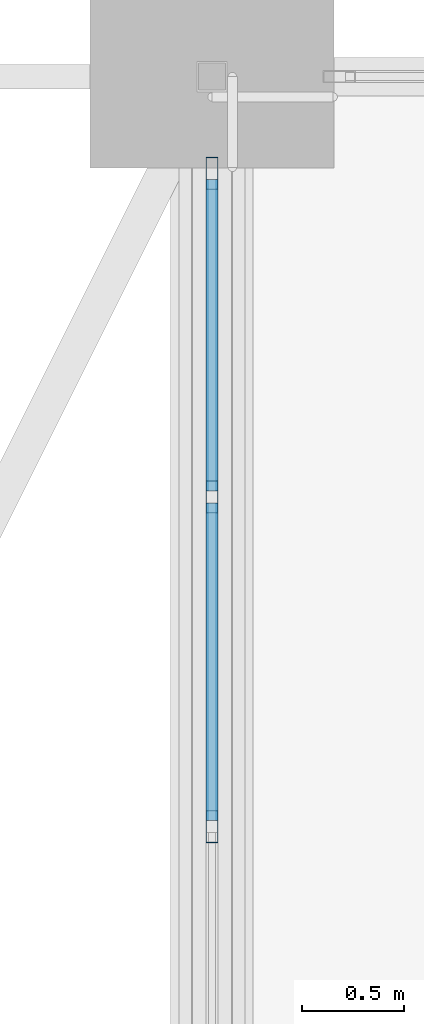
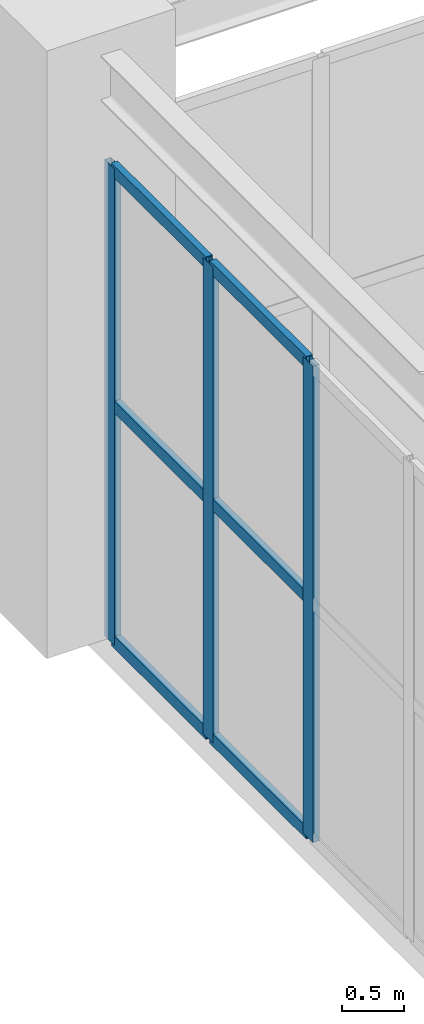
# One storey, part 149 of 223: 9 members, 1 element without a shape of its own.
"""IFC4 building model written with IfcOpenShell, lengths in metres."""

from ifc_helpers import new_model, si_unit, direction, frame, origin, origin_2d, place, context, subcontext, project, spatial, hollow_rectangle, extrude, material, layer, layer_set, material_profile, profile_set, type_object, element, aggregate, save


model = new_model("IFC4")

# Units and contexts
model_context = context("Model", 3, precision=1e-05, world=origin(), true_north=direction((0.0, 1.0)))
body_context = subcontext(model_context, "Body", "Model", "MODEL_VIEW")
ifc_project = project(units=[si_unit("LENGTHUNIT", "METRE"), si_unit("AREAUNIT", "SQUARE_METRE"), si_unit("VOLUMEUNIT", "CUBIC_METRE"), si_unit("PLANEANGLEUNIT", "RADIAN"), si_unit("MASSUNIT", "GRAM", prefix="KILO")], contexts=[model_context])

# Site, building, storey
site_placement = place(None, origin())
site = spatial("IfcSite", under=ifc_project, at=site_placement, CompositionType="ELEMENT")
building_placement = place(site_placement, origin())
building = spatial("IfcBuilding", under=site, at=building_placement, Name="Dornveld Trade and Exhibition Forum", CompositionType="ELEMENT")
storey_placement = place(building_placement, frame((0.0, 0.0, 6.0)))
storey = spatial("IfcBuildingStorey", under=building, at=storey_placement, Name="L01", CompositionType="ELEMENT", Elevation=6.0)

# Curtain wall, members
ifc_material_1 = material(Name="Dark-bronze anodised aluminium and low-E glass", Category="aluminium")
ifc_layer = layer(ifc_material_1, 0.180908203125)
ifc_layer_set = layer_set([ifc_layer], Name="Dark-bronze anodised aluminium and low-E glass")
curtain_wall_type = type_object("IfcCurtainWallType", Name="CW-SYS-13", PredefinedType="USERDEFINED", material=ifc_layer_set)
curtain_wall_placement = place(storey_placement, origin())
curtain_wall = element("IfcCurtainWall", 1, at=curtain_wall_placement, inside=storey, type_object=curtain_wall_type, Name="L01 unitised curtain wall 13", ObjectType="UNITISED_CURTAIN_WALL", PredefinedType="USERDEFINED")
ifc_material_2 = material(Name="Dark-bronze anodised aluminium", Category="aluminium")
ifc_material_profile_1 = material_profile(ifc_material_2, hollow_rectangle(XDim=0.06005859375, YDim=0.159912109375, WallThickness=0.00390625, at=origin_2d()), Name="RHS 160x60x4")
ifc_profile_set_1 = profile_set([ifc_material_profile_1], Name="Dark-bronze anodised aluminium")
member_type_1 = type_object("IfcMemberType", Name="CW-MUL-160", PredefinedType="MULLION", material=ifc_profile_set_1)
member_1_placement = place(storey_placement, frame((171.0, 140.310791015625, -0.00390625), z_axis=(0.0, 0.0, 1.0), x_axis=(-1.0, 0.0, 0.0)))
member_1 = element("IfcMember", 2, at=member_1_placement, type_object=member_type_1, Name="CW-13 mullion 4", PredefinedType="MULLION", context=body_context, shape_type="SweptSolid", body=[
    extrude(hollow_rectangle(XDim=0.06005859375, YDim=0.159912109375, WallThickness=0.00390625, at=origin_2d()), origin(), (0.0, 0.0, 1.0), 4.703857421875),
])
member_2_placement = place(storey_placement, frame((171.0, 141.932373046875, -0.00390625), z_axis=(0.0, 0.0, 1.0), x_axis=(-1.0, 0.0, 0.0)))
member_2 = element("IfcMember", 3, at=member_2_placement, type_object=member_type_1, Name="CW-13 mullion 5", PredefinedType="MULLION", context=body_context, shape_type="SweptSolid", body=[
    extrude(hollow_rectangle(XDim=0.06005859375, YDim=0.159912109375, WallThickness=0.00390625, at=origin_2d()), origin(), (0.0, 0.0, 1.0), 4.703857421875),
])
member_3_placement = place(storey_placement, frame((171.0, 143.52392578125, -0.00390625), z_axis=(0.0, 0.0, 1.0), x_axis=(-1.0, 0.0, 0.0)))
member_3 = element("IfcMember", 4, at=member_3_placement, type_object=member_type_1, Name="CW-13 mullion 6", PredefinedType="MULLION", context=body_context, shape_type="SweptSolid", body=[
    extrude(hollow_rectangle(XDim=0.06005859375, YDim=0.159912109375, WallThickness=0.00390625, at=origin_2d()), origin(), (0.0, 0.0, 1.0), 4.703857421875),
])
ifc_material_3 = material(Name="Dark-bronze anodised aluminium", Category="aluminium")
ifc_material_profile_2 = material_profile(ifc_material_3, hollow_rectangle(XDim=0.06005859375, YDim=0.1201171875, WallThickness=0.00390625, at=origin_2d()), Name="RHS 120x60x4")
ifc_profile_set_2 = profile_set([ifc_material_profile_2], Name="Dark-bronze anodised aluminium")
member_type_2 = type_object("IfcMemberType", Name="CW-TRN-120", PredefinedType="USERDEFINED", material=ifc_profile_set_2)
member_4_placement = place(storey_placement, frame((171.0, 140.3408203125, 0.02587890625), z_axis=(0.0, 1.0, 0.0), x_axis=(-1.0, 0.0, 0.0)))
member_4 = element("IfcMember", 5, at=member_4_placement, type_object=member_type_2, Name="CW-13 transom 4.1", ObjectType="TRANSOM", PredefinedType="USERDEFINED", context=body_context, shape_type="SweptSolid", body=[
    extrude(hollow_rectangle(XDim=0.06005859375, YDim=0.1201171875, WallThickness=0.00390625, at=origin_2d()), origin(), (0.0, 0.0, 1.0), 1.5615234375),
])
member_5_placement = place(storey_placement, frame((171.0, 140.3408203125, 2.347900390625), z_axis=(0.0, 1.0, 0.0), x_axis=(-1.0, 0.0, 0.0)))
member_5 = element("IfcMember", 6, at=member_5_placement, type_object=member_type_2, Name="CW-13 transom 4.2", ObjectType="TRANSOM", PredefinedType="USERDEFINED", context=body_context, shape_type="SweptSolid", body=[
    extrude(hollow_rectangle(XDim=0.06005859375, YDim=0.1201171875, WallThickness=0.00390625, at=origin_2d()), origin(), (0.0, 0.0, 1.0), 1.5615234375),
])
member_6_placement = place(storey_placement, frame((171.0, 140.3408203125, 4.669921875), z_axis=(0.0, 1.0, 0.0), x_axis=(-1.0, 0.0, 0.0)))
member_6 = element("IfcMember", 7, at=member_6_placement, type_object=member_type_2, Name="CW-13 transom 4.3", ObjectType="TRANSOM", PredefinedType="USERDEFINED", context=body_context, shape_type="SweptSolid", body=[
    extrude(hollow_rectangle(XDim=0.06005859375, YDim=0.1201171875, WallThickness=0.00390625, at=origin_2d()), origin(), (0.0, 0.0, 1.0), 1.5615234375),
])
member_7_placement = place(storey_placement, frame((171.0, 141.96240234375, 0.02587890625), z_axis=(0.0, 1.0, 0.0), x_axis=(-1.0, 0.0, 0.0)))
member_7 = element("IfcMember", 8, at=member_7_placement, type_object=member_type_2, Name="CW-13 transom 5.1", ObjectType="TRANSOM", PredefinedType="USERDEFINED", context=body_context, shape_type="SweptSolid", body=[
    extrude(hollow_rectangle(XDim=0.06005859375, YDim=0.1201171875, WallThickness=0.00390625, at=origin_2d()), origin(), (0.0, 0.0, 1.0), 1.531494140625),
])
member_8_placement = place(storey_placement, frame((171.0, 141.96240234375, 2.347900390625), z_axis=(0.0, 1.0, 0.0), x_axis=(-1.0, 0.0, 0.0)))
member_8 = element("IfcMember", 9, at=member_8_placement, type_object=member_type_2, Name="CW-13 transom 5.2", ObjectType="TRANSOM", PredefinedType="USERDEFINED", context=body_context, shape_type="SweptSolid", body=[
    extrude(hollow_rectangle(XDim=0.06005859375, YDim=0.1201171875, WallThickness=0.00390625, at=origin_2d()), origin(), (0.0, 0.0, 1.0), 1.531494140625),
])
member_9_placement = place(storey_placement, frame((171.0, 141.96240234375, 4.669921875), z_axis=(0.0, 1.0, 0.0), x_axis=(-1.0, 0.0, 0.0)))
member_9 = element("IfcMember", 10, at=member_9_placement, type_object=member_type_2, Name="CW-13 transom 5.3", ObjectType="TRANSOM", PredefinedType="USERDEFINED", context=body_context, shape_type="SweptSolid", body=[
    extrude(hollow_rectangle(XDim=0.06005859375, YDim=0.1201171875, WallThickness=0.00390625, at=origin_2d()), origin(), (0.0, 0.0, 1.0), 1.531494140625),
])
aggregate(curtain_wall, [member_1, member_2, member_3, member_4, member_5, member_6, member_7, member_8, member_9])

save(model, "model.ifc")
